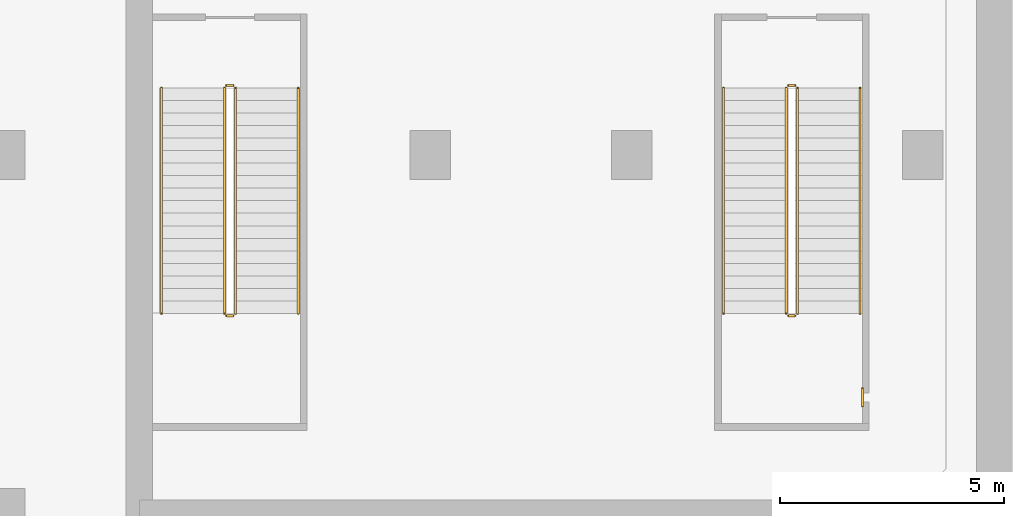
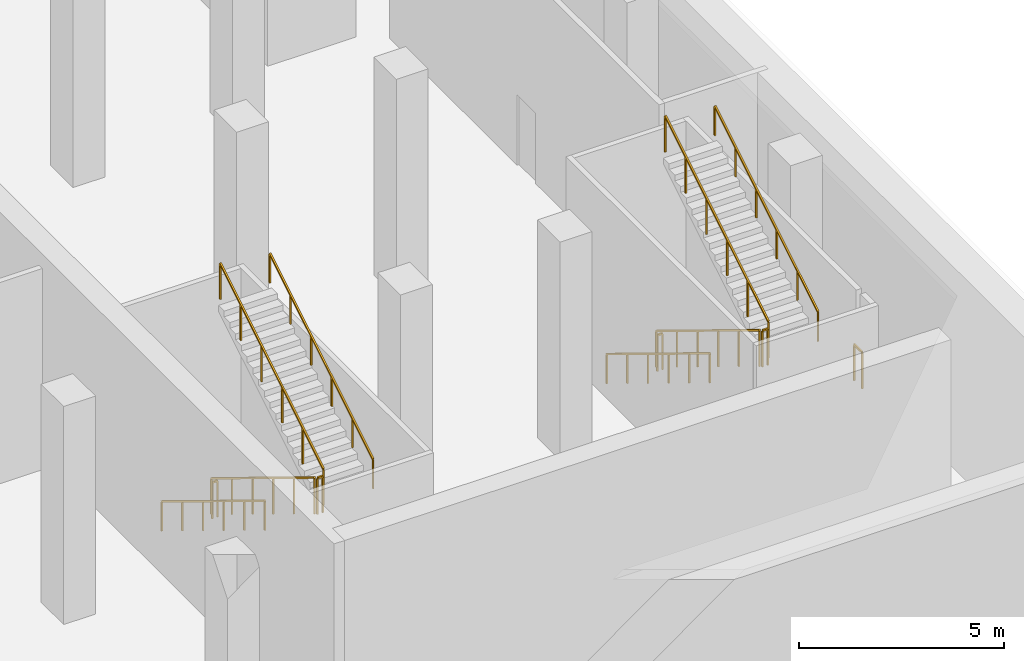
# One storey, part 13 of 16: 13 railings.
"""IFC4 building model written with IfcOpenShell, lengths in metres."""

from ifc_helpers import new_model, si_unit, direction, frame, origin, origin_with_axes, origin_2d, place, context, subcontext, project, spatial, rectangle, extrude, material, type_object, element, save


model = new_model("IFC4")

# Units and contexts
model_context = context("Model", 3, precision=1e-05, world=origin(), true_north=direction((0.0, 1.0)))
body_context = subcontext(model_context, "Body", "Model", "MODEL_VIEW")
ifc_project = project(units=[si_unit("LENGTHUNIT", "METRE"), si_unit("AREAUNIT", "SQUARE_METRE"), si_unit("VOLUMEUNIT", "CUBIC_METRE"), si_unit("PLANEANGLEUNIT", "RADIAN"), si_unit("MASSUNIT", "GRAM", prefix="KILO")], contexts=[model_context])

# Site, building, storey
site_placement = place(None, origin())
site = spatial("IfcSite", under=ifc_project, at=site_placement, CompositionType="ELEMENT")
building_placement = place(site_placement, origin())
building = spatial("IfcBuilding", under=site, at=building_placement, Name="Alderwake Tower", CompositionType="ELEMENT")
storey_placement = place(building_placement, frame((0.0, 0.0, -6.5)))
storey = spatial("IfcBuildingStorey", under=building, at=storey_placement, Name="B1", CompositionType="ELEMENT", Elevation=-6.5)

# Railings
ifc_material_1 = material(Name="Stainless steel guard", Category="steel")
railing_type_1 = type_object("IfcRailingType", Name="Stair guard 1100", PredefinedType="GUARDRAIL", material=ifc_material_1)
railing_1_placement = place(storey_placement, frame((68.89990234375, 17.5, 0.171142578125)))
element("IfcRailing", 1, at=railing_1_placement, inside=storey, type_object=railing_type_1, Name="B1 ST-S1 stair guard 1", PredefinedType="GUARDRAIL", context=body_context, shape_type="SweptSolid", body=[
    extrude(rectangle(XDim=0.048095703125, YDim=0.048095703125, at=origin_2d()), frame((0.0, 0.0, 1.076171875), z_axis=(0.0, -0.853369698388, 0.521306203564), x_axis=(1.0, 0.0, 0.0)), (0.0, 0.0, 1.0), 5.906005859375),
    extrude(rectangle(XDim=0.0419921875, YDim=0.0419921875, at=origin_2d()), frame((0.0, 0.0, 0.0), z_axis=(0.0, 0.0, 1.0), x_axis=(0.0, -1.0, 0.0)), (0.0, 0.0, 1.0), 1.052001953125),
    extrude(rectangle(XDim=0.0419921875, YDim=0.0419921875, at=origin_2d()), frame((0.0, -1.008056640625, 0.61572265625), z_axis=(0.0, 0.0, 1.0), x_axis=(0.0, -1.0, 0.0)), (0.0, 0.0, 1.0), 1.052001953125),
    extrude(rectangle(XDim=0.0419921875, YDim=0.0419921875, at=origin_2d()), frame((0.0, -2.01611328125, 1.2314453125), z_axis=(0.0, 0.0, 1.0), x_axis=(0.0, -1.0, 0.0)), (0.0, 0.0, 1.0), 1.052001953125),
    extrude(rectangle(XDim=0.0419921875, YDim=0.0419921875, at=origin_2d()), frame((0.0, -3.02392578125, 1.847412109375), z_axis=(0.0, 0.0, 1.0), x_axis=(0.0, -1.0, 0.0)), (0.0, 0.0, 1.0), 1.052001953125),
    extrude(rectangle(XDim=0.0419921875, YDim=0.0419921875, at=origin_2d()), frame((0.0, -4.031982421875, 2.463134765625), z_axis=(0.0, 0.0, 1.0), x_axis=(0.0, -1.0, 0.0)), (0.0, 0.0, 1.0), 1.052001953125),
    extrude(rectangle(XDim=0.0419921875, YDim=0.0419921875, at=origin_2d()), frame((0.0, -5.0400390625, 3.078857421875), z_axis=(0.0, 0.0, 1.0), x_axis=(0.0, -1.0, 0.0)), (0.0, 0.0, 1.0), 1.052001953125),
])
railing_2_placement = place(storey_placement, frame((68.949951171875, 12.409912109375, 3.25)))
element("IfcRailing", 2, at=railing_2_placement, inside=storey, type_object=railing_type_1, Name="B1 ST-S1 stair guard 2", PredefinedType="GUARDRAIL", context=body_context, shape_type="SweptSolid", body=[
    extrude(rectangle(XDim=0.048095703125, YDim=0.048095703125, at=origin_2d()), frame((0.0, 0.0, 1.076171875), z_axis=(1.0, 0.0, 0.0), x_axis=(0.0, 1.0, 0.0)), (0.0, 0.0, 1.0), 0.150146484375),
    extrude(rectangle(XDim=0.0419921875, YDim=0.0419921875, at=origin_2d()), origin_with_axes(), (0.0, 0.0, 1.0), 1.052001953125),
    extrude(rectangle(XDim=0.0419921875, YDim=0.0419921875, at=origin_2d()), frame((0.150146484375, 0.0, 0.0), z_axis=(0.0, 0.0, 1.0), x_axis=(1.0, 0.0, 0.0)), (0.0, 0.0, 1.0), 1.052001953125),
])
railing_3_placement = place(storey_placement, frame((69.14990234375, 12.4599609375, 3.421142578125)))
element("IfcRailing", 3, at=railing_3_placement, inside=storey, type_object=railing_type_1, Name="B1 ST-S1 stair guard 3", PredefinedType="GUARDRAIL", context=body_context, shape_type="SweptSolid", body=[
    extrude(rectangle(XDim=0.048095703125, YDim=0.048095703125, at=origin_2d()), frame((0.0, 0.0, 1.076171875), z_axis=(0.0, 0.853369698388, 0.521306203564), x_axis=(-1.0, 0.0, 0.0)), (0.0, 0.0, 1.0), 5.906005859375),
    extrude(rectangle(XDim=0.0419921875, YDim=0.0419921875, at=origin_2d()), frame((0.0, 0.0, 0.0), z_axis=(0.0, 0.0, 1.0), x_axis=(0.0, 1.0, 0.0)), (0.0, 0.0, 1.0), 1.052001953125),
    extrude(rectangle(XDim=0.0419921875, YDim=0.0419921875, at=origin_2d()), frame((0.0, 1.008056640625, 0.61572265625), z_axis=(0.0, 0.0, 1.0), x_axis=(0.0, 1.0, 0.0)), (0.0, 0.0, 1.0), 1.052001953125),
    extrude(rectangle(XDim=0.0419921875, YDim=0.0419921875, at=origin_2d()), frame((0.0, 2.01611328125, 1.2314453125), z_axis=(0.0, 0.0, 1.0), x_axis=(0.0, 1.0, 0.0)), (0.0, 0.0, 1.0), 1.052001953125),
    extrude(rectangle(XDim=0.0419921875, YDim=0.0419921875, at=origin_2d()), frame((0.0, 3.02392578125, 1.847412109375), z_axis=(0.0, 0.0, 1.0), x_axis=(0.0, 1.0, 0.0)), (0.0, 0.0, 1.0), 1.052001953125),
    extrude(rectangle(XDim=0.0419921875, YDim=0.0419921875, at=origin_2d()), frame((0.0, 4.031982421875, 2.463134765625), z_axis=(0.0, 0.0, 1.0), x_axis=(0.0, 1.0, 0.0)), (0.0, 0.0, 1.0), 1.052001953125),
    extrude(rectangle(XDim=0.0419921875, YDim=0.0419921875, at=origin_2d()), frame((0.0, 5.0400390625, 3.078857421875), z_axis=(0.0, 0.0, 1.0), x_axis=(0.0, 1.0, 0.0)), (0.0, 0.0, 1.0), 1.052001953125),
])
railing_4_placement = place(storey_placement, frame((68.949951171875, 17.550048828125, 0.0)))
element("IfcRailing", 4, at=railing_4_placement, inside=storey, type_object=railing_type_1, Name="B1 ST-S1 stair guard 4", PredefinedType="GUARDRAIL", context=body_context, shape_type="SweptSolid", body=[
    extrude(rectangle(XDim=0.048095703125, YDim=0.048095703125, at=origin_2d()), frame((0.0, 0.0, 1.076171875), z_axis=(1.0, 0.0, 0.0), x_axis=(0.0, 1.0, 0.0)), (0.0, 0.0, 1.0), 0.150146484375),
    extrude(rectangle(XDim=0.0419921875, YDim=0.0419921875, at=origin_2d()), origin_with_axes(), (0.0, 0.0, 1.0), 1.052001953125),
    extrude(rectangle(XDim=0.0419921875, YDim=0.0419921875, at=origin_2d()), frame((0.150146484375, 0.0, 0.0), z_axis=(0.0, 0.0, 1.0), x_axis=(1.0, 0.0, 0.0)), (0.0, 0.0, 1.0), 1.052001953125),
])
railing_5_placement = place(storey_placement, frame((81.449951171875, 17.5, 0.171142578125)))
element("IfcRailing", 5, at=railing_5_placement, inside=storey, type_object=railing_type_1, Name="B1 ST-S2 stair guard 1", PredefinedType="GUARDRAIL", context=body_context, shape_type="SweptSolid", body=[
    extrude(rectangle(XDim=0.048095703125, YDim=0.048095703125, at=origin_2d()), frame((0.0, 0.0, 1.076171875), z_axis=(0.0, -0.853369698388, 0.521306203564), x_axis=(1.0, 0.0, 0.0)), (0.0, 0.0, 1.0), 5.906005859375),
    extrude(rectangle(XDim=0.0419921875, YDim=0.0419921875, at=origin_2d()), frame((0.0, 0.0, 0.0), z_axis=(0.0, 0.0, 1.0), x_axis=(0.0, -1.0, 0.0)), (0.0, 0.0, 1.0), 1.052001953125),
    extrude(rectangle(XDim=0.0419921875, YDim=0.0419921875, at=origin_2d()), frame((0.0, -1.008056640625, 0.61572265625), z_axis=(0.0, 0.0, 1.0), x_axis=(0.0, -1.0, 0.0)), (0.0, 0.0, 1.0), 1.052001953125),
    extrude(rectangle(XDim=0.0419921875, YDim=0.0419921875, at=origin_2d()), frame((0.0, -2.01611328125, 1.2314453125), z_axis=(0.0, 0.0, 1.0), x_axis=(0.0, -1.0, 0.0)), (0.0, 0.0, 1.0), 1.052001953125),
    extrude(rectangle(XDim=0.0419921875, YDim=0.0419921875, at=origin_2d()), frame((0.0, -3.02392578125, 1.847412109375), z_axis=(0.0, 0.0, 1.0), x_axis=(0.0, -1.0, 0.0)), (0.0, 0.0, 1.0), 1.052001953125),
    extrude(rectangle(XDim=0.0419921875, YDim=0.0419921875, at=origin_2d()), frame((0.0, -4.031982421875, 2.463134765625), z_axis=(0.0, 0.0, 1.0), x_axis=(0.0, -1.0, 0.0)), (0.0, 0.0, 1.0), 1.052001953125),
    extrude(rectangle(XDim=0.0419921875, YDim=0.0419921875, at=origin_2d()), frame((0.0, -5.0400390625, 3.078857421875), z_axis=(0.0, 0.0, 1.0), x_axis=(0.0, -1.0, 0.0)), (0.0, 0.0, 1.0), 1.052001953125),
])
railing_6_placement = place(storey_placement, frame((81.5, 12.409912109375, 3.25)))
element("IfcRailing", 6, at=railing_6_placement, inside=storey, type_object=railing_type_1, Name="B1 ST-S2 stair guard 2", PredefinedType="GUARDRAIL", context=body_context, shape_type="SweptSolid", body=[
    extrude(rectangle(XDim=0.048095703125, YDim=0.048095703125, at=origin_2d()), frame((0.0, 0.0, 1.076171875), z_axis=(1.0, 0.0, 0.0), x_axis=(0.0, 1.0, 0.0)), (0.0, 0.0, 1.0), 0.14990234375),
    extrude(rectangle(XDim=0.0419921875, YDim=0.0419921875, at=origin_2d()), origin_with_axes(), (0.0, 0.0, 1.0), 1.052001953125),
    extrude(rectangle(XDim=0.0419921875, YDim=0.0419921875, at=origin_2d()), frame((0.14990234375, 0.0, 0.0), z_axis=(0.0, 0.0, 1.0), x_axis=(1.0, 0.0, 0.0)), (0.0, 0.0, 1.0), 1.052001953125),
])
railing_7_placement = place(storey_placement, frame((81.699951171875, 12.4599609375, 3.421142578125)))
element("IfcRailing", 7, at=railing_7_placement, inside=storey, type_object=railing_type_1, Name="B1 ST-S2 stair guard 3", PredefinedType="GUARDRAIL", context=body_context, shape_type="SweptSolid", body=[
    extrude(rectangle(XDim=0.048095703125, YDim=0.048095703125, at=origin_2d()), frame((0.0, 0.0, 1.076171875), z_axis=(0.0, 0.853369698388, 0.521306203564), x_axis=(-1.0, 0.0, 0.0)), (0.0, 0.0, 1.0), 5.906005859375),
    extrude(rectangle(XDim=0.0419921875, YDim=0.0419921875, at=origin_2d()), frame((0.0, 0.0, 0.0), z_axis=(0.0, 0.0, 1.0), x_axis=(0.0, 1.0, 0.0)), (0.0, 0.0, 1.0), 1.052001953125),
    extrude(rectangle(XDim=0.0419921875, YDim=0.0419921875, at=origin_2d()), frame((0.0, 1.008056640625, 0.61572265625), z_axis=(0.0, 0.0, 1.0), x_axis=(0.0, 1.0, 0.0)), (0.0, 0.0, 1.0), 1.052001953125),
    extrude(rectangle(XDim=0.0419921875, YDim=0.0419921875, at=origin_2d()), frame((0.0, 2.01611328125, 1.2314453125), z_axis=(0.0, 0.0, 1.0), x_axis=(0.0, 1.0, 0.0)), (0.0, 0.0, 1.0), 1.052001953125),
    extrude(rectangle(XDim=0.0419921875, YDim=0.0419921875, at=origin_2d()), frame((0.0, 3.02392578125, 1.847412109375), z_axis=(0.0, 0.0, 1.0), x_axis=(0.0, 1.0, 0.0)), (0.0, 0.0, 1.0), 1.052001953125),
    extrude(rectangle(XDim=0.0419921875, YDim=0.0419921875, at=origin_2d()), frame((0.0, 4.031982421875, 2.463134765625), z_axis=(0.0, 0.0, 1.0), x_axis=(0.0, 1.0, 0.0)), (0.0, 0.0, 1.0), 1.052001953125),
    extrude(rectangle(XDim=0.0419921875, YDim=0.0419921875, at=origin_2d()), frame((0.0, 5.0400390625, 3.078857421875), z_axis=(0.0, 0.0, 1.0), x_axis=(0.0, 1.0, 0.0)), (0.0, 0.0, 1.0), 1.052001953125),
])
railing_8_placement = place(storey_placement, frame((81.5, 17.550048828125, 0.0)))
element("IfcRailing", 8, at=railing_8_placement, inside=storey, type_object=railing_type_1, Name="B1 ST-S2 stair guard 4", PredefinedType="GUARDRAIL", context=body_context, shape_type="SweptSolid", body=[
    extrude(rectangle(XDim=0.048095703125, YDim=0.048095703125, at=origin_2d()), frame((0.0, 0.0, 1.076171875), z_axis=(1.0, 0.0, 0.0), x_axis=(0.0, 1.0, 0.0)), (0.0, 0.0, 1.0), 0.14990234375),
    extrude(rectangle(XDim=0.0419921875, YDim=0.0419921875, at=origin_2d()), origin_with_axes(), (0.0, 0.0, 1.0), 1.052001953125),
    extrude(rectangle(XDim=0.0419921875, YDim=0.0419921875, at=origin_2d()), frame((0.14990234375, 0.0, 0.0), z_axis=(0.0, 0.0, 1.0), x_axis=(1.0, 0.0, 0.0)), (0.0, 0.0, 1.0), 1.052001953125),
])
railing_9_placement = place(storey_placement, frame((83.14990234375, 10.387939453125, 3.25)))
element("IfcRailing", 9, at=railing_9_placement, inside=storey, type_object=railing_type_1, Name="B1 landing guard ST-S2.L1", PredefinedType="GUARDRAIL", context=body_context, shape_type="SweptSolid", body=[
    extrude(rectangle(XDim=0.048095703125, YDim=0.048095703125, at=origin_2d()), frame((0.0, 0.0, 1.076171875), z_axis=(0.0, 1.0, 0.0), x_axis=(-1.0, 0.0, 0.0)), (0.0, 0.0, 1.0), 0.39599609375),
    extrude(rectangle(XDim=0.0419921875, YDim=0.0419921875, at=origin_2d()), frame((0.0, 0.0, 0.0), z_axis=(0.0, 0.0, 1.0), x_axis=(0.0, 1.0, 0.0)), (0.0, 0.0, 1.0), 1.052001953125),
    extrude(rectangle(XDim=0.0419921875, YDim=0.0419921875, at=origin_2d()), frame((0.0, 0.39599609375, 0.0), z_axis=(0.0, 0.0, 1.0), x_axis=(0.0, 1.0, 0.0)), (0.0, 0.0, 1.0), 1.052001953125),
])
ifc_material_2 = material(Name="Stainless steel handrail", Category="steel")
railing_type_2 = type_object("IfcRailingType", Name="Stair handrail 900", PredefinedType="HANDRAIL", material=ifc_material_2)
railing_10_placement = place(storey_placement, frame((67.5, 17.5, 0.171142578125)))
element("IfcRailing", 10, at=railing_10_placement, inside=storey, type_object=railing_type_2, Name="B1 ST-S1 stair handrail 1", PredefinedType="HANDRAIL", context=body_context, shape_type="SweptSolid", body=[
    extrude(rectangle(XDim=0.048095703125, YDim=0.048095703125, at=origin_2d()), frame((0.0, 0.0, 0.8759765625), z_axis=(0.0, -0.853369698388, 0.521306203564), x_axis=(1.0, 0.0, 0.0)), (0.0, 0.0, 1.0), 5.906005859375),
    extrude(rectangle(XDim=0.0419921875, YDim=0.0419921875, at=origin_2d()), frame((0.0, 0.0, 0.0), z_axis=(0.0, 0.0, 1.0), x_axis=(0.0, -1.0, 0.0)), (0.0, 0.0, 1.0), 0.851806640625),
    extrude(rectangle(XDim=0.0419921875, YDim=0.0419921875, at=origin_2d()), frame((0.0, -1.008056640625, 0.61572265625), z_axis=(0.0, 0.0, 1.0), x_axis=(0.0, -1.0, 0.0)), (0.0, 0.0, 1.0), 0.851806640625),
    extrude(rectangle(XDim=0.0419921875, YDim=0.0419921875, at=origin_2d()), frame((0.0, -2.01611328125, 1.2314453125), z_axis=(0.0, 0.0, 1.0), x_axis=(0.0, -1.0, 0.0)), (0.0, 0.0, 1.0), 0.851806640625),
    extrude(rectangle(XDim=0.0419921875, YDim=0.0419921875, at=origin_2d()), frame((0.0, -3.02392578125, 1.847412109375), z_axis=(0.0, 0.0, 1.0), x_axis=(0.0, -1.0, 0.0)), (0.0, 0.0, 1.0), 0.851806640625),
    extrude(rectangle(XDim=0.0419921875, YDim=0.0419921875, at=origin_2d()), frame((0.0, -4.031982421875, 2.463134765625), z_axis=(0.0, 0.0, 1.0), x_axis=(0.0, -1.0, 0.0)), (0.0, 0.0, 1.0), 0.851806640625),
    extrude(rectangle(XDim=0.0419921875, YDim=0.0419921875, at=origin_2d()), frame((0.0, -5.0400390625, 3.078857421875), z_axis=(0.0, 0.0, 1.0), x_axis=(0.0, -1.0, 0.0)), (0.0, 0.0, 1.0), 0.851806640625),
])
railing_11_placement = place(storey_placement, frame((70.550048828125, 12.4599609375, 3.421142578125)))
element("IfcRailing", 11, at=railing_11_placement, inside=storey, type_object=railing_type_2, Name="B1 ST-S1 stair handrail 2", PredefinedType="HANDRAIL", context=body_context, shape_type="SweptSolid", body=[
    extrude(rectangle(XDim=0.048095703125, YDim=0.048095703125, at=origin_2d()), frame((0.0, 0.0, 0.8759765625), z_axis=(0.0, 0.853369698388, 0.521306203564), x_axis=(-1.0, 0.0, 0.0)), (0.0, 0.0, 1.0), 5.906005859375),
    extrude(rectangle(XDim=0.0419921875, YDim=0.0419921875, at=origin_2d()), frame((0.0, 0.0, 0.0), z_axis=(0.0, 0.0, 1.0), x_axis=(0.0, 1.0, 0.0)), (0.0, 0.0, 1.0), 0.851806640625),
    extrude(rectangle(XDim=0.0419921875, YDim=0.0419921875, at=origin_2d()), frame((0.0, 1.008056640625, 0.61572265625), z_axis=(0.0, 0.0, 1.0), x_axis=(0.0, 1.0, 0.0)), (0.0, 0.0, 1.0), 0.851806640625),
    extrude(rectangle(XDim=0.0419921875, YDim=0.0419921875, at=origin_2d()), frame((0.0, 2.01611328125, 1.2314453125), z_axis=(0.0, 0.0, 1.0), x_axis=(0.0, 1.0, 0.0)), (0.0, 0.0, 1.0), 0.851806640625),
    extrude(rectangle(XDim=0.0419921875, YDim=0.0419921875, at=origin_2d()), frame((0.0, 3.02392578125, 1.847412109375), z_axis=(0.0, 0.0, 1.0), x_axis=(0.0, 1.0, 0.0)), (0.0, 0.0, 1.0), 0.851806640625),
    extrude(rectangle(XDim=0.0419921875, YDim=0.0419921875, at=origin_2d()), frame((0.0, 4.031982421875, 2.463134765625), z_axis=(0.0, 0.0, 1.0), x_axis=(0.0, 1.0, 0.0)), (0.0, 0.0, 1.0), 0.851806640625),
    extrude(rectangle(XDim=0.0419921875, YDim=0.0419921875, at=origin_2d()), frame((0.0, 5.0400390625, 3.078857421875), z_axis=(0.0, 0.0, 1.0), x_axis=(0.0, 1.0, 0.0)), (0.0, 0.0, 1.0), 0.851806640625),
])
railing_12_placement = place(storey_placement, frame((80.050048828125, 17.5, 0.171142578125)))
element("IfcRailing", 12, at=railing_12_placement, inside=storey, type_object=railing_type_2, Name="B1 ST-S2 stair handrail 1", PredefinedType="HANDRAIL", context=body_context, shape_type="SweptSolid", body=[
    extrude(rectangle(XDim=0.048095703125, YDim=0.048095703125, at=origin_2d()), frame((0.0, 0.0, 0.8759765625), z_axis=(0.0, -0.853369698388, 0.521306203564), x_axis=(1.0, 0.0, 0.0)), (0.0, 0.0, 1.0), 5.906005859375),
    extrude(rectangle(XDim=0.0419921875, YDim=0.0419921875, at=origin_2d()), frame((0.0, 0.0, 0.0), z_axis=(0.0, 0.0, 1.0), x_axis=(0.0, -1.0, 0.0)), (0.0, 0.0, 1.0), 0.851806640625),
    extrude(rectangle(XDim=0.0419921875, YDim=0.0419921875, at=origin_2d()), frame((0.0, -1.008056640625, 0.61572265625), z_axis=(0.0, 0.0, 1.0), x_axis=(0.0, -1.0, 0.0)), (0.0, 0.0, 1.0), 0.851806640625),
    extrude(rectangle(XDim=0.0419921875, YDim=0.0419921875, at=origin_2d()), frame((0.0, -2.01611328125, 1.2314453125), z_axis=(0.0, 0.0, 1.0), x_axis=(0.0, -1.0, 0.0)), (0.0, 0.0, 1.0), 0.851806640625),
    extrude(rectangle(XDim=0.0419921875, YDim=0.0419921875, at=origin_2d()), frame((0.0, -3.02392578125, 1.847412109375), z_axis=(0.0, 0.0, 1.0), x_axis=(0.0, -1.0, 0.0)), (0.0, 0.0, 1.0), 0.851806640625),
    extrude(rectangle(XDim=0.0419921875, YDim=0.0419921875, at=origin_2d()), frame((0.0, -4.031982421875, 2.463134765625), z_axis=(0.0, 0.0, 1.0), x_axis=(0.0, -1.0, 0.0)), (0.0, 0.0, 1.0), 0.851806640625),
    extrude(rectangle(XDim=0.0419921875, YDim=0.0419921875, at=origin_2d()), frame((0.0, -5.0400390625, 3.078857421875), z_axis=(0.0, 0.0, 1.0), x_axis=(0.0, -1.0, 0.0)), (0.0, 0.0, 1.0), 0.851806640625),
])
railing_13_placement = place(storey_placement, frame((83.10009765625, 12.4599609375, 3.421142578125)))
element("IfcRailing", 13, at=railing_13_placement, inside=storey, type_object=railing_type_2, Name="B1 ST-S2 stair handrail 2", PredefinedType="HANDRAIL", context=body_context, shape_type="SweptSolid", body=[
    extrude(rectangle(XDim=0.048095703125, YDim=0.048095703125, at=origin_2d()), frame((0.0, 0.0, 0.8759765625), z_axis=(0.0, 0.853369698388, 0.521306203564), x_axis=(-1.0, 0.0, 0.0)), (0.0, 0.0, 1.0), 5.906005859375),
    extrude(rectangle(XDim=0.0419921875, YDim=0.0419921875, at=origin_2d()), frame((0.0, 0.0, 0.0), z_axis=(0.0, 0.0, 1.0), x_axis=(0.0, 1.0, 0.0)), (0.0, 0.0, 1.0), 0.851806640625),
    extrude(rectangle(XDim=0.0419921875, YDim=0.0419921875, at=origin_2d()), frame((0.0, 1.008056640625, 0.61572265625), z_axis=(0.0, 0.0, 1.0), x_axis=(0.0, 1.0, 0.0)), (0.0, 0.0, 1.0), 0.851806640625),
    extrude(rectangle(XDim=0.0419921875, YDim=0.0419921875, at=origin_2d()), frame((0.0, 2.01611328125, 1.2314453125), z_axis=(0.0, 0.0, 1.0), x_axis=(0.0, 1.0, 0.0)), (0.0, 0.0, 1.0), 0.851806640625),
    extrude(rectangle(XDim=0.0419921875, YDim=0.0419921875, at=origin_2d()), frame((0.0, 3.02392578125, 1.847412109375), z_axis=(0.0, 0.0, 1.0), x_axis=(0.0, 1.0, 0.0)), (0.0, 0.0, 1.0), 0.851806640625),
    extrude(rectangle(XDim=0.0419921875, YDim=0.0419921875, at=origin_2d()), frame((0.0, 4.031982421875, 2.463134765625), z_axis=(0.0, 0.0, 1.0), x_axis=(0.0, 1.0, 0.0)), (0.0, 0.0, 1.0), 0.851806640625),
    extrude(rectangle(XDim=0.0419921875, YDim=0.0419921875, at=origin_2d()), frame((0.0, 5.0400390625, 3.078857421875), z_axis=(0.0, 0.0, 1.0), x_axis=(0.0, 1.0, 0.0)), (0.0, 0.0, 1.0), 0.851806640625),
])

save(model, "model.ifc")
